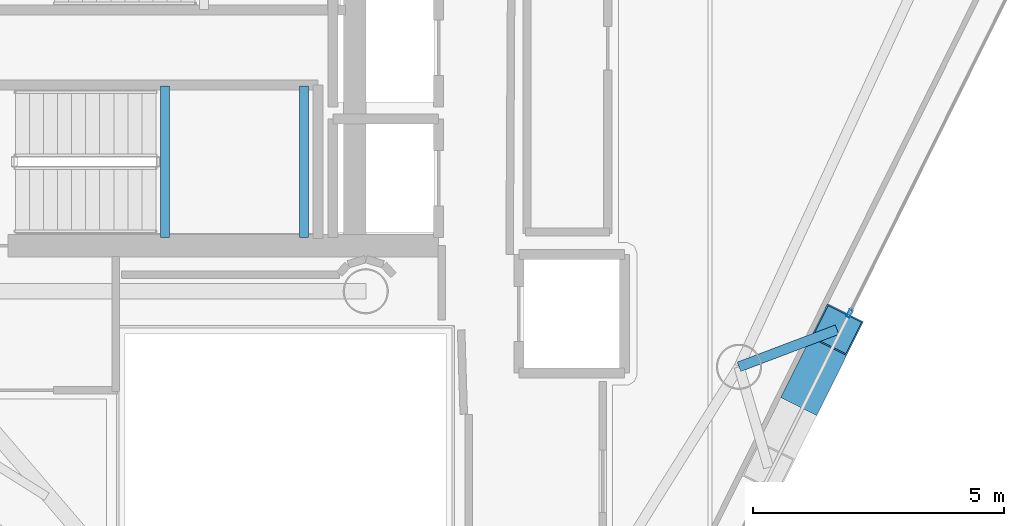
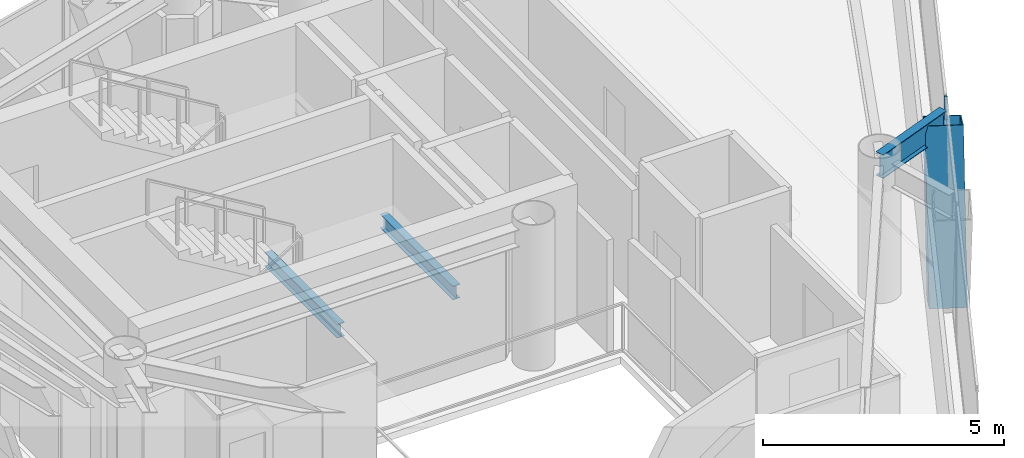
# One storey, part 10 of 23: 3 beams, 2 members, 1 element without a shape of its own.
"""IFC4 building model written with IfcOpenShell, lengths in metres."""

from ifc_helpers import new_model, si_unit, direction, frame, origin, origin_2d, place, context, subcontext, project, spatial, hollow_rectangle, i_section, extrude, material, layer, layer_set, material_profile, profile_set, type_object, element, aggregate, save


model = new_model("IFC4")

# Units and contexts
model_context = context("Model", 3, precision=1e-05, world=origin(), true_north=direction((0.0, 1.0)))
body_context = subcontext(model_context, "Body", "Model", "MODEL_VIEW")
ifc_project = project(units=[si_unit("LENGTHUNIT", "METRE"), si_unit("AREAUNIT", "SQUARE_METRE"), si_unit("VOLUMEUNIT", "CUBIC_METRE"), si_unit("PLANEANGLEUNIT", "RADIAN"), si_unit("MASSUNIT", "GRAM", prefix="KILO")], contexts=[model_context])

# Site, building, storey
site_placement = place(None, origin())
site = spatial("IfcSite", under=ifc_project, at=site_placement, CompositionType="ELEMENT")
building_placement = place(site_placement, origin())
building = spatial("IfcBuilding", under=site, at=building_placement, Name="Qianvela Tower", CompositionType="ELEMENT")
storey_placement = place(building_placement, frame((0.0, 0.0, 313.89990234375)))
storey = spatial("IfcBuildingStorey", under=building, at=storey_placement, Name="L81", CompositionType="ELEMENT", Elevation=313.89990234375)

# Beams
ifc_material_1 = material(Name="Steel Q355B", Category="steel")
ifc_material_profile_1 = material_profile(ifc_material_1, i_section(OverallWidth=0.175048828125, OverallDepth=0.35009765625, WebThickness=0.007080078125, FlangeThickness=0.010986328125, at=origin_2d()), Name="HN350x175x7x11")
ifc_profile_set_1 = profile_set([ifc_material_profile_1], Name="Steel Q355B")
beam_type_1 = type_object("IfcBeamType", Name="BM-HN350-JOIST", PredefinedType="JOIST", material=ifc_profile_set_1)
for number, where, z_axis, x_axis, name in (
    (1, (34.39990234375, 24.919921875, 1.47509765625), (0.0, 1.0, 0.0), (-1.0, 0.0, 0.0), "L81 Stair ST-2 Landing Support Beam 1.1"),
    (2, (37.169921875, 24.919921875, 1.47509765625), (0.0, 1.0, 0.0), (-1.0, 0.0, 0.0), "L81 Stair ST-2 Landing Support Beam 1.2"),
):
    element("IfcBeam", number, at=place(storey_placement, frame(where, z_axis=z_axis, x_axis=x_axis)), inside=storey, type_object=beam_type_1, Name=name, PredefinedType="JOIST", context=body_context, shape_type="SweptSolid", body=[
        extrude(i_section(OverallWidth=0.175048828125, OverallDepth=0.35009765625, WebThickness=0.007080078125, FlangeThickness=0.010986328125, at=origin_2d()), origin(), (0.0, 0.0, 1.0), 3.02001953125),
    ])
ifc_material_2 = material(Name="Steel Q355B", Category="steel")
ifc_material_profile_2 = material_profile(ifc_material_2, i_section(OverallWidth=0.199951171875, OverallDepth=0.60009765625, WebThickness=0.010986328125, FlangeThickness=0.01708984375, at=origin_2d()), Name="HN600x200x11x17")
ifc_profile_set_2 = profile_set([ifc_material_profile_2], Name="Steel Q355B")
beam_type_2 = type_object("IfcBeamType", Name="BM-HN600-GIRD", PredefinedType="BEAM", material=ifc_profile_set_2)
beam_placement = place(storey_placement, frame((45.833984375, 22.344970703125, 3.218017578125), z_axis=(0.935025595754, 0.354580224046, 0.0), x_axis=(-0.354580224046, 0.935025595754, 0.0)))
element("IfcBeam", 3, at=beam_placement, inside=storey, type_object=beam_type_2, Name="L81 Mega-Brace Column Tie Bracket F3-2", PredefinedType="BEAM", context=body_context, shape_type="SweptSolid", body=[
    extrude(i_section(OverallWidth=0.199951171875, OverallDepth=0.60009765625, WebThickness=0.010986328125, FlangeThickness=0.01708984375, at=origin_2d()), origin(), (0.0, 0.0, 1.0), 2.08837890625),
])

# Curtain wall, member
ifc_material_3 = material(Name="Anodised Architectural Aluminium and Insulated Spandrel Panel", Category="aluminium")
ifc_layer = layer(ifc_material_3, 0.179931640625)
ifc_layer_set = layer_set([ifc_layer], Name="Anodised Architectural Aluminium and Insulated Spandrel Panel")
curtain_wall_type = type_object("IfcCurtainWallType", Name="CW-BRACEBAY", PredefinedType="USERDEFINED", material=ifc_layer_set)
curtain_wall_placement = place(storey_placement, origin())
curtain_wall = element("IfcCurtainWall", 4, at=curtain_wall_placement, inside=storey, type_object=curtain_wall_type, Name="L81 CW-BRACEBAY Curtain Wall 06B", ObjectType="CURTAIN_WALL_SYSTEM", PredefinedType="USERDEFINED")
ifc_material_4 = material(Name="Anodised Architectural Aluminium 6063-T6", Category="aluminium")
ifc_material_profile_3 = material_profile(ifc_material_4, hollow_rectangle(XDim=0.06494140625, YDim=0.159912109375, WallThickness=0.0048828125, at=origin_2d()), Name="ALU-MULL-65x160")
ifc_profile_set_3 = profile_set([ifc_material_profile_3], Name="Anodised Architectural Aluminium 6063-T6")
member_type_1 = type_object("IfcMemberType", Name="CW-BRACEBAY-MULL", PredefinedType="MULLION", material=ifc_profile_set_3)
member_1_placement = place(storey_placement, frame((48.0361328125, 23.4072265625, 0.0), z_axis=(0.0, 0.0, 1.0), x_axis=(-0.895346416353, 0.445370401715, 0.0)))
member_1 = element("IfcMember", 5, at=member_1_placement, type_object=member_type_1, Name="CW-9 mullion 2", PredefinedType="MULLION", context=body_context, shape_type="SweptSolid", body=[
    extrude(hollow_rectangle(XDim=0.06494140625, YDim=0.159912109375, WallThickness=0.0048828125, at=origin_2d()), origin(), (0.0, 0.0, 1.0), 3.52001953125),
])
aggregate(curtain_wall, [member_1])

# Member
ifc_material_5 = material(Name="Steel Q420GJC", Category="steel")
ifc_material_profile_4 = material_profile(ifc_material_5, hollow_rectangle(XDim=0.800048828125, YDim=0.800048828125, WallThickness=0.028076171875, at=origin_2d()), Name="MBOX-800x800x28")
ifc_profile_set_4 = profile_set([ifc_material_profile_4], Name="Steel Q420GJC")
member_type_2 = type_object("IfcMemberType", Name="MBR-MBRACE-800", PredefinedType="BRACE", material=ifc_profile_set_4)
member_2_placement = place(storey_placement, frame((47.191162109375, 21.887939453125, -0.48193359375), z_axis=(0.151353012033, 0.304381518664, 0.940448912405), x_axis=(-0.895410791449, 0.445240962353, 0.0)))
element("IfcMember", 6, at=member_2_placement, inside=storey, type_object=member_type_2, Name="L81 Tier 13 Exterior Mega-Brace F3B", PredefinedType="BRACE", context=body_context, shape_type="SweptSolid", body=[
    extrude(hollow_rectangle(XDim=0.800048828125, YDim=0.800048828125, WallThickness=0.028076171875, at=origin_2d()), origin(), (0.0, 0.0, 1.0), 3.934326171875),
])

save(model, "model.ifc")
